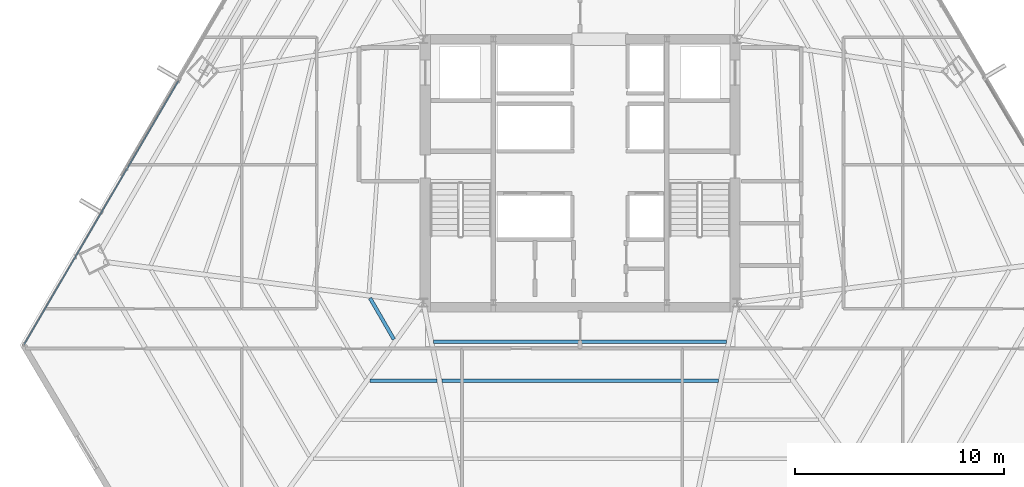
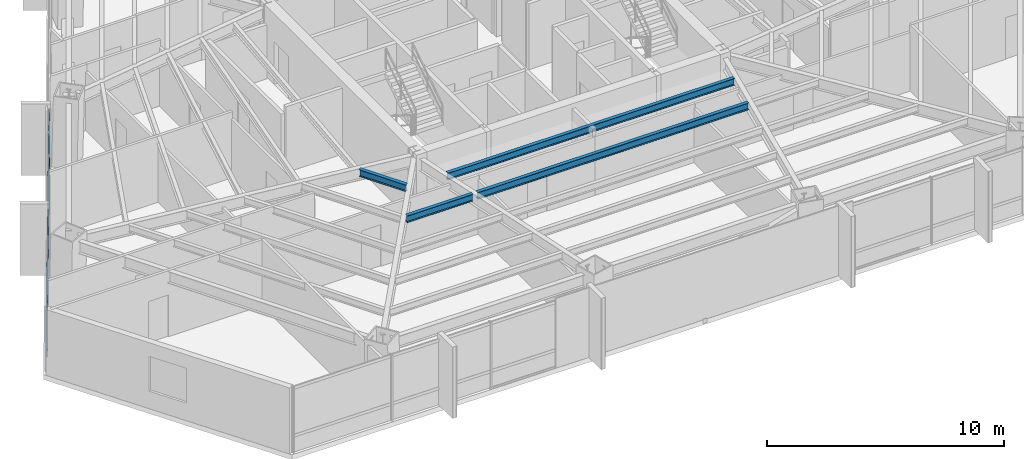
# One storey, part 11 of 35: 4 beams, 2 members, 1 element without a shape of its own.
"""IFC4 building model written with IfcOpenShell, lengths in metres."""

from ifc_helpers import new_model, si_unit, direction, frame, origin, origin_2d, place, context, subcontext, project, spatial, hollow_rectangle, i_section, extrude, source, transform, mapped, material, material_profile, profile_set, type_object, type_shapes, element, aggregate, save


model = new_model("IFC4")

# Units and contexts
model_context = context("Model", 3, precision=1e-05, world=origin(), true_north=direction((0.0, 1.0)))
body_context = subcontext(model_context, "Body", "Model", "MODEL_VIEW")
ifc_project = project(units=[si_unit("LENGTHUNIT", "METRE"), si_unit("AREAUNIT", "SQUARE_METRE"), si_unit("VOLUMEUNIT", "CUBIC_METRE"), si_unit("PLANEANGLEUNIT", "RADIAN"), si_unit("MASSUNIT", "GRAM", prefix="KILO")], contexts=[model_context])

# Site, building, storey
site_placement = place(None, origin())
site = spatial("IfcSite", under=ifc_project, at=site_placement, CompositionType="ELEMENT")
building_placement = place(site_placement, origin())
building = spatial("IfcBuilding", under=site, at=building_placement, Name="Caelisora Broadcast Tower", CompositionType="ELEMENT")
storey_placement = place(building_placement, frame((0.0, 0.0, 94.449951171875)))
storey = spatial("IfcBuildingStorey", under=building, at=storey_placement, Name="L24", CompositionType="ELEMENT", Elevation=94.449951171875)

# Beams
ifc_material_1 = material(Name="Steel Grade 350 (AS/NZS 3679.1)", Category="steel")
ifc_material_profile_1 = material_profile(ifc_material_1, i_section(OverallWidth=0.172119140625, OverallDepth=0.358642578125, WebThickness=0.008056640625, FlangeThickness=0.012939453125, at=origin_2d()), Name="Steel Grade 350 (AS/NZS 3679.1)")
ifc_profile_set_1 = profile_set([ifc_material_profile_1], Name="Steel Grade 350 (AS/NZS 3679.1)")
beam_type = type_object("IfcBeamType", Name="SB02", PredefinedType="JOIST", material=ifc_profile_set_1)
shared_shape_1 = source(origin(), body_context, "Body", "SweptSolid", [
    extrude(i_section(OverallWidth=0.172119140625, OverallDepth=0.358642578125, WebThickness=0.008056640625, FlangeThickness=0.012939453125, at=origin_2d()), origin(), (0.0, 0.0, 1.0), 2.280029296875),
])
beam_1_placement = place(storey_placement, frame((27.951904296875, 17.613037109375, 3.220703125), z_axis=(0.50003140069, -0.866007273829, 0.0), x_axis=(0.866007273829, 0.50003140069, 0.0)))
element("IfcBeam", 1, at=beam_1_placement, inside=storey, type_object=beam_type, Name="L24 beam SB02", PredefinedType="JOIST", context=body_context, shape_type="MappedRepresentation", body=[
    mapped(shared_shape_1, transform((0.0, 0.0, 0.0), scale=1.0)),
])
shared_shape_2 = source(origin(), body_context, "Body", "SweptSolid", [
    extrude(i_section(OverallWidth=0.172119140625, OverallDepth=0.358642578125, WebThickness=0.008056640625, FlangeThickness=0.012939453125, at=origin_2d()), origin(), (0.0, 0.0, 1.0), 3.211669921875),
])
beam_2_placement = place(storey_placement, frame((27.943603515625, 13.66552734375, 3.220703125), z_axis=(1.0, 0.0, 0.0), x_axis=(0.0, 1.0, 0.0)))
element("IfcBeam", 2, at=beam_2_placement, inside=storey, type_object=beam_type, Name="L24 beam SB02", PredefinedType="JOIST", context=body_context, shape_type="MappedRepresentation", body=[
    mapped(shared_shape_2, transform((0.0, 0.0, 0.0), scale=1.0)),
])
shared_shape_3 = source(origin(), body_context, "Body", "SweptSolid", [
    extrude(i_section(OverallWidth=0.172119140625, OverallDepth=0.358642578125, WebThickness=0.008056640625, FlangeThickness=0.012939453125, at=origin_2d()), origin(), (0.0, 0.0, 1.0), 14.00439453125),
])
beam_3_placement = place(storey_placement, frame((30.997802734375, 15.53271484375, 3.220703125), z_axis=(1.0, 0.0, 0.0), x_axis=(0.0, 1.0, 0.0)))
element("IfcBeam", 3, at=beam_3_placement, inside=storey, type_object=beam_type, Name="L24 beam SB02", PredefinedType="JOIST", context=body_context, shape_type="MappedRepresentation", body=[
    mapped(shared_shape_3, transform((0.0, 0.0, 0.0), scale=1.0)),
])
shared_shape_4 = source(origin(), body_context, "Body", "SweptSolid", [
    extrude(i_section(OverallWidth=0.172119140625, OverallDepth=0.358642578125, WebThickness=0.008056640625, FlangeThickness=0.012939453125, at=origin_2d()), origin(), (0.0, 0.0, 1.0), 13.23583984375),
])
type_shapes(beam_type, [shared_shape_1, shared_shape_2, shared_shape_3, shared_shape_4])
beam_4_placement = place(storey_placement, frame((31.382080078125, 13.66552734375, 3.220703125), z_axis=(1.0, 0.0, 0.0), x_axis=(0.0, 1.0, 0.0)))
element("IfcBeam", 4, at=beam_4_placement, inside=storey, type_object=beam_type, Name="L24 beam SB02", PredefinedType="JOIST", context=body_context, shape_type="MappedRepresentation", body=[
    mapped(shared_shape_4, transform((0.0, 0.0, 0.0), scale=1.0)),
])

# Curtain wall, members
ifc_material_2 = material(Name="Unitised Aluminium and Low-E Glass Curtain Wall", Category="glass")
curtain_wall_type = type_object("IfcCurtainWallType", Name="CW-Z2", PredefinedType="NOTDEFINED", material=ifc_material_2)
curtain_wall_placement = place(storey_placement, origin())
curtain_wall = element("IfcCurtainWall", 5, at=curtain_wall_placement, inside=storey, type_object=curtain_wall_type, Name="L24 curtain wall CW-Z2", PredefinedType="NOTDEFINED")
ifc_material_3 = material(Name="Aluminium 6063-T6 Anodised Terracotta Bronze", Category="aluminium")
ifc_material_profile_2 = material_profile(ifc_material_3, hollow_rectangle(XDim=0.06005859375, YDim=0.14990234375, WallThickness=0.00341796875, at=origin_2d()), Name="Aluminium 6063-T6 Anodised Terracotta Bronze")
ifc_profile_set_2 = profile_set([ifc_material_profile_2], Name="Aluminium 6063-T6 Anodised Terracotta Bronze")
member_type = type_object("IfcMemberType", Name="CWT-02", PredefinedType="USERDEFINED", material=ifc_profile_set_2)
shared_shape_5 = source(origin(), body_context, "Body", "SweptSolid", [
    extrude(hollow_rectangle(XDim=0.06005859375, YDim=0.14990234375, WallThickness=0.00341796875, at=origin_2d()), origin(), (0.0, 0.0, 1.0), 14.619384765625),
])
type_shapes(member_type, [shared_shape_5])
member_1_placement = place(storey_placement, frame((11.4033203125, 15.399169921875, 0.85009765625), z_axis=(0.505437038592, 0.862863488635, 0.0), x_axis=(-0.862863488635, 0.505437038592, 0.0)))
member_1 = element("IfcMember", 6, at=member_1_placement, type_object=member_type, Name="L24-CW-B09 transom #1", ObjectType="TRANSOM", PredefinedType="USERDEFINED", context=body_context, shape_type="MappedRepresentation", body=[
    mapped(shared_shape_5, transform((0.0, 0.0, 0.0), scale=1.0)),
])
member_2_placement = place(storey_placement, frame((11.4033203125, 15.399169921875, 3.320068359375), z_axis=(0.505437038592, 0.862863488635, 0.0), x_axis=(-0.862863488635, 0.505437038592, 0.0)))
member_2 = element("IfcMember", 7, at=member_2_placement, type_object=member_type, Name="L24-CW-B09 transom #2", ObjectType="TRANSOM", PredefinedType="USERDEFINED", context=body_context, shape_type="MappedRepresentation", body=[
    mapped(shared_shape_5, transform((0.0, 0.0, 0.0), scale=1.0)),
])
aggregate(curtain_wall, [member_1, member_2])

save(model, "model.ifc")
